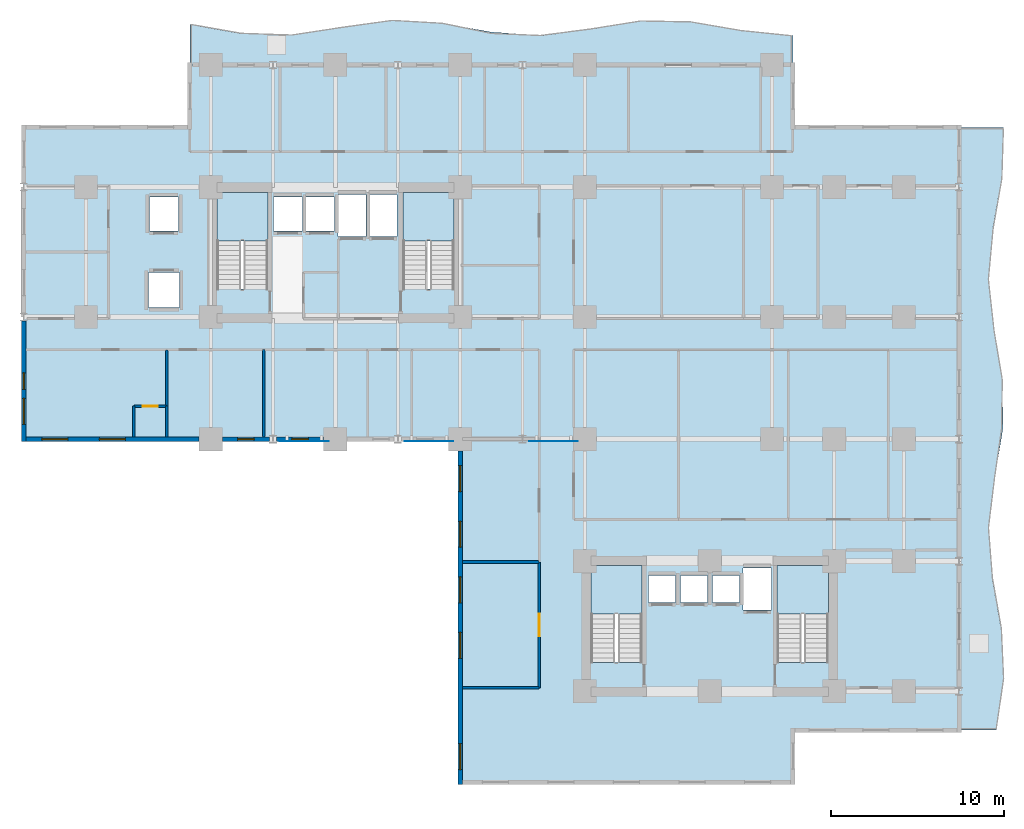
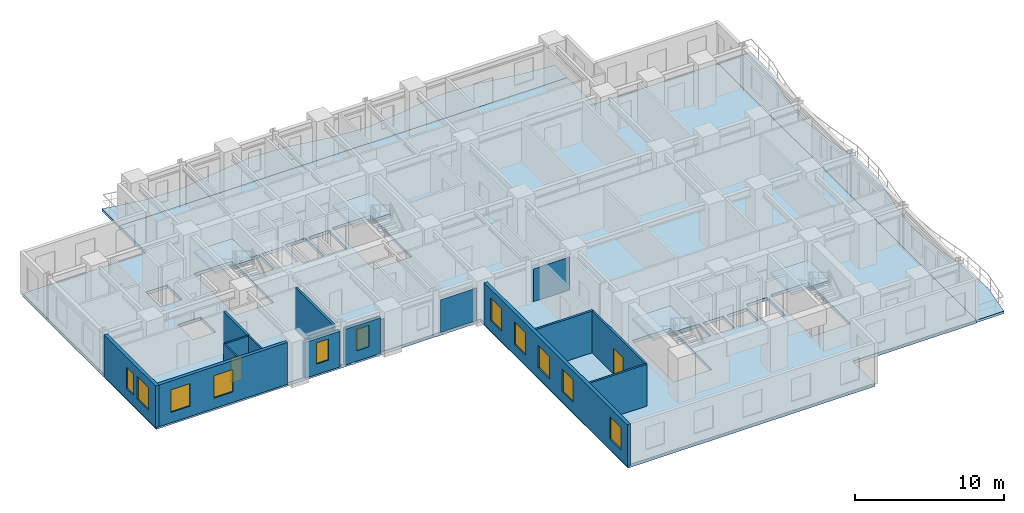
# One storey, part 2 of 11: 13 walls, 11 windows, 7 slabs, 3 plates, 2 doors, 13 openings, 4 elements without a shape of their own.
"""IFC4 building model written with IfcOpenShell, lengths in metres."""

from ifc_helpers import new_model, si_unit, direction, frame, frame_2d, origin, origin_2d, place, context, subcontext, project, spatial, polyline, rectangle, outline, extrude, source, transform, mapped, material, layer, layer_set, type_object, element, fill, aggregate, save


model = new_model("IFC4")

# Units and contexts
model_context = context("Model", 3, precision=1e-05, world=origin(), true_north=direction((0.0, 1.0)))
body_context = subcontext(model_context, "Body", "Model", "MODEL_VIEW")
ifc_project = project(units=[si_unit("LENGTHUNIT", "METRE"), si_unit("AREAUNIT", "SQUARE_METRE"), si_unit("VOLUMEUNIT", "CUBIC_METRE"), si_unit("PLANEANGLEUNIT", "RADIAN"), si_unit("MASSUNIT", "GRAM", prefix="KILO")], contexts=[model_context])

# Site, building, storey
site_placement = place(None, origin())
site = spatial("IfcSite", under=ifc_project, at=site_placement, CompositionType="ELEMENT")
building_placement = place(site_placement, origin())
building = spatial("IfcBuilding", under=site, at=building_placement, Name="Kaliganga Portal Commons", CompositionType="ELEMENT")
storey_placement = place(building_placement, frame((0.0, 0.0, 66.0)))
storey = spatial("IfcBuildingStorey", under=building, at=storey_placement, Name="L16", CompositionType="ELEMENT", Elevation=66.0)

# Slabs
ifc_material_1 = material(Name="Concrete C40/50", Category="concrete")
ifc_layer_1 = layer(ifc_material_1, 0.2099609375)
ifc_layer_set_1 = layer_set([ifc_layer_1], Name="Concrete C40/50")
slab_type_1 = type_object("IfcSlabType", Name="SLB-BALC-210", PredefinedType="FLOOR", material=ifc_layer_set_1)
slab_1_placement = place(storey_placement, frame((0.0, 0.0, -0.2099609375)))
element("IfcSlab", 1, at=slab_1_placement, inside=storey, type_object=slab_type_1, Name="Scalloped Tree-Planter Balcony Slab L16 balc_north", PredefinedType="FLOOR", context=body_context, shape_type="SweptSolid", body=[
    extrude(outline(polyline([(48.0, 43.199951171875), (48.0, 44.886474609375), (45.10009765625, 45.18408203125), (42.199951171875, 45.68896484375), (39.300048828125, 45.743408203125), (36.39990234375, 45.276611328125), (33.5, 44.896484375), (30.60009765625, 45.098388671875), (27.699951171875, 45.619384765625), (24.800048828125, 45.780517578125), (21.89990234375, 45.371826171875), (19.0, 44.926025390625), (16.10009765625, 45.023681640625), (13.199951171875, 45.53759765625), (13.199951171875, 43.199951171875), (48.0, 43.199951171875)])), origin(), (0.0, 0.0, 1.0), 0.2099609375),
])
slab_2_placement = place(storey_placement, frame((0.0, 0.0, -0.2099609375)))
element("IfcSlab", 2, at=slab_2_placement, inside=storey, type_object=slab_type_1, Name="Scalloped Tree-Planter Balcony Slab L16 balc_east", PredefinedType="FLOOR", context=body_context, shape_type="SweptSolid", body=[
    extrude(outline(polyline([(57.60009765625, 4.800048828125), (59.743408203125, 4.800048828125), (60.17138671875, 7.699951171875), (60.041748046875, 10.60009765625), (59.523193359375, 13.5), (59.29150390625, 16.39990234375), (59.648193359375, 19.300048828125), (60.12890625, 22.199951171875), (60.107177734375, 25.10009765625), (59.611083984375, 28.0), (59.287353515625, 30.89990234375), (59.5576171875, 33.800048828125), (60.069580078125, 36.699951171875), (60.156494140625, 39.60009765625), (57.60009765625, 39.60009765625), (57.60009765625, 4.800048828125)])), origin(), (0.0, 0.0, 1.0), 0.2099609375),
])

# Stair, slab
stair_type = type_object("IfcStairType", Name="ST-CORE-DOGLEG", PredefinedType="HALF_TURN_STAIR", material=ifc_material_1)
stair_1_placement = place(storey_placement, origin())
stair_1 = element("IfcStair", 3, at=stair_1_placement, inside=storey, type_object=stair_type, Name="L16 Protected Exit Stair ST-A1", PredefinedType="HALF_TURN_STAIR")
ifc_layer_2 = layer(ifc_material_1, 0.199951171875)
ifc_layer_set_2 = layer_set([ifc_layer_2], Name="Concrete C40/50")
slab_type_2 = type_object("IfcSlabType", Name="SLB-STAIR-LND", PredefinedType="LANDING", material=ifc_layer_set_2)
slab_3_placement = place(storey_placement, frame((0.0, 0.0, 1.64990234375)))
slab_3 = element("IfcSlab", 4, at=slab_3_placement, type_object=slab_type_2, Name="ST-A1 landing 1", PredefinedType="LANDING", context=body_context, shape_type="SweptSolid", body=[
    extrude(outline(polyline([(17.699951171875, 33.050048828125), (17.699951171875, 35.85009765625), (14.75, 35.85009765625), (14.75, 33.050048828125), (17.699951171875, 33.050048828125)])), origin(), (0.0, 0.0, 1.0), 0.2001953125),
])
aggregate(stair_1, [slab_3])

stair_2_placement = place(storey_placement, origin())
stair_2 = element("IfcStair", 5, at=stair_2_placement, inside=storey, type_object=stair_type, Name="L16 Protected Exit Stair ST-A2", PredefinedType="HALF_TURN_STAIR")
slab_4_placement = place(storey_placement, frame((0.0, 0.0, 1.64990234375)))
slab_4 = element("IfcSlab", 6, at=slab_4_placement, type_object=slab_type_2, Name="ST-A2 landing 1", PredefinedType="LANDING", context=body_context, shape_type="SweptSolid", body=[
    extrude(outline(polyline([(28.449951171875, 33.050048828125), (28.449951171875, 35.85009765625), (25.5, 35.85009765625), (25.5, 33.050048828125), (28.449951171875, 33.050048828125)])), origin(), (0.0, 0.0, 1.0), 0.2001953125),
])
aggregate(stair_2, [slab_4])

stair_3_placement = place(storey_placement, origin())
stair_3 = element("IfcStair", 7, at=stair_3_placement, inside=storey, type_object=stair_type, Name="L16 Protected Exit Stair ST-B1", PredefinedType="HALF_TURN_STAIR")
slab_5_placement = place(storey_placement, frame((0.0, 0.0, 1.64990234375)))
slab_5 = element("IfcSlab", 8, at=slab_5_placement, type_object=slab_type_2, Name="ST-B1 landing 1", PredefinedType="LANDING", context=body_context, shape_type="SweptSolid", body=[
    extrude(outline(polyline([(39.300048828125, 11.5), (39.300048828125, 14.300048828125), (36.35009765625, 14.300048828125), (36.35009765625, 11.5), (39.300048828125, 11.5)])), origin(), (0.0, 0.0, 1.0), 0.2001953125),
])
aggregate(stair_3, [slab_5])

stair_4_placement = place(storey_placement, origin())
stair_4 = element("IfcStair", 9, at=stair_4_placement, inside=storey, type_object=stair_type, Name="L16 Protected Exit Stair ST-B2", PredefinedType="HALF_TURN_STAIR")
slab_6_placement = place(storey_placement, frame((0.0, 0.0, 1.64990234375)))
slab_6 = element("IfcSlab", 10, at=slab_6_placement, type_object=slab_type_2, Name="ST-B2 landing 1", PredefinedType="LANDING", context=body_context, shape_type="SweptSolid", body=[
    extrude(outline(polyline([(50.050048828125, 11.5), (50.050048828125, 14.300048828125), (47.10009765625, 14.300048828125), (47.10009765625, 11.5), (50.050048828125, 11.5)])), origin(), (0.0, 0.0, 1.0), 0.2001953125),
])
aggregate(stair_4, [slab_6])

# Slab
ifc_layer_3 = layer(ifc_material_1, 0.25)
ifc_layer_set_3 = layer_set([ifc_layer_3], Name="Concrete C40/50")
slab_type_3 = type_object("IfcSlabType", Name="SLB-TWR-250", PredefinedType="FLOOR", material=ifc_layer_set_3)
slab_7_placement = place(storey_placement, frame((0.0, 0.0, -0.25)))
element("IfcSlab", 11, at=slab_7_placement, inside=storey, type_object=slab_type_3, Name="Structural Floor Slab L16", PredefinedType="FLOOR", context=body_context, shape_type="SweptSolid", body=[
    extrude(outline(polyline([(28.800048828125, 1.800048828125), (48.0, 1.800048828125), (48.0, 4.800048828125), (57.60009765625, 4.800048828125), (57.60009765625, 39.60009765625), (48.0, 39.60009765625), (48.0, 43.199951171875), (13.199951171875, 43.199951171875), (13.199951171875, 39.60009765625), (3.60009765625, 39.60009765625), (3.60009765625, 21.60009765625), (28.800048828125, 21.60009765625), (28.800048828125, 1.800048828125)]), holes=[polyline([(14.75, 30.25390625), (14.75, 35.85009765625), (17.699951171875, 35.85009765625), (17.699951171875, 30.25390625), (14.75, 30.25390625)]), polyline([(25.5, 30.25390625), (25.5, 35.85009765625), (28.449951171875, 35.85009765625), (28.449951171875, 30.25390625), (25.5, 30.25390625)]), polyline([(36.35009765625, 8.7041015625), (36.35009765625, 14.300048828125), (39.300048828125, 14.300048828125), (39.300048828125, 8.7041015625), (36.35009765625, 8.7041015625)]), polyline([(47.10009765625, 8.7041015625), (47.10009765625, 14.300048828125), (50.050048828125, 14.300048828125), (50.050048828125, 8.7041015625), (47.10009765625, 8.7041015625)]), polyline([(18.014892578125, 33.614990234375), (18.014892578125, 35.5849609375), (19.68505859375, 35.5849609375), (19.68505859375, 33.614990234375), (18.014892578125, 33.614990234375)]), polyline([(19.864990234375, 33.614990234375), (19.864990234375, 35.5849609375), (21.534912109375, 35.5849609375), (21.534912109375, 33.614990234375), (19.864990234375, 33.614990234375)]), polyline([(10.81494140625, 29.18994140625), (10.81494140625, 31.2099609375), (12.5849609375, 31.2099609375), (12.5849609375, 29.18994140625), (10.81494140625, 29.18994140625)]), polyline([(10.864990234375, 33.614990234375), (10.864990234375, 35.5849609375), (12.534912109375, 35.5849609375), (12.534912109375, 33.614990234375), (10.864990234375, 33.614990234375)]), polyline([(21.739990234375, 33.2900390625), (21.739990234375, 35.7099609375), (23.360107421875, 35.7099609375), (23.360107421875, 33.2900390625), (21.739990234375, 33.2900390625)]), polyline([(23.5400390625, 33.2900390625), (23.5400390625, 35.7099609375), (25.159912109375, 35.7099609375), (25.159912109375, 33.2900390625), (23.5400390625, 33.2900390625)]), polyline([(39.6650390625, 12.1650390625), (39.6650390625, 13.735107421875), (41.235107421875, 13.735107421875), (41.235107421875, 12.1650390625), (39.6650390625, 12.1650390625)]), polyline([(41.514892578125, 12.1650390625), (41.514892578125, 13.735107421875), (43.0849609375, 13.735107421875), (43.0849609375, 12.1650390625), (41.514892578125, 12.1650390625)]), polyline([(43.364990234375, 12.1650390625), (43.364990234375, 13.735107421875), (44.93505859375, 13.735107421875), (44.93505859375, 12.1650390625), (43.364990234375, 12.1650390625)]), polyline([(45.139892578125, 11.739990234375), (45.139892578125, 14.159912109375), (46.760009765625, 14.159912109375), (46.760009765625, 11.739990234375), (45.139892578125, 11.739990234375)])]), origin(), (0.0, 0.0, 1.0), 0.25),
])

# Plates
ifc_material_2 = material(Name="Perforated Bronze-Anodized Aluminium Solar Screen", Category="aluminium")
ifc_layer_4 = layer(ifc_material_2, 0.01806640625)
ifc_layer_set_4 = layer_set([ifc_layer_4], Name="Perforated Bronze-Anodized Aluminium Solar Screen")
plate_type = type_object("IfcPlateType", Name="PLT-SCR-18", PredefinedType="USERDEFINED", material=ifc_layer_set_4)
shared_shape = source(origin(), body_context, "Body", "SweptSolid", [
    extrude(rectangle(XDim=2.800048828125, YDim=0.01806640625, at=origin_2d()), origin(), (0.0, 0.0, 1.0), 2.68994140625),
])
for number, where, z_axis, x_axis, name in (
    (12, (19.800048828125, 21.47998046875, 0.080078125), (0.0, 0.0, 1.0), (1.0, 0.0, 0.0), "Perforated Solar Screen L16-S1"),
    (13, (27.0, 21.47998046875, 0.080078125), (0.0, 0.0, 1.0), (1.0, 0.0, 0.0), "Perforated Solar Screen L16-S2"),
    (14, (34.199951171875, 21.47998046875, 0.080078125), (0.0, 0.0, 1.0), (1.0, 0.0, 0.0), "Perforated Solar Screen L16-S3"),
):
    element("IfcPlate", number, at=place(storey_placement, frame(where, z_axis=z_axis, x_axis=x_axis)), inside=storey, type_object=plate_type, Name=name, ObjectType="SOLAR SCREEN", PredefinedType="USERDEFINED", context=body_context, shape_type="MappedRepresentation", body=[
        mapped(shared_shape, transform((0.0, 0.0, 0.0), x_axis=(1.0, 0.0, 0.0), y_axis=(0.0, 1.0, 0.0), z_axis=(0.0, 0.0, 1.0), scale=1.0)),
    ])

# Wall, openings, windows
ifc_material_3 = material(Name="Insulated Aluminium-Clad Spandrel Assembly", Category="aluminium")
ifc_layer_5 = layer(ifc_material_3, 0.260009765625)
ifc_layer_set_5 = layer_set([ifc_layer_5], Name="Insulated Aluminium-Clad Spandrel Assembly")
wall_type_1 = type_object("IfcWallType", Name="WL-EXT-SPAND-260", PredefinedType="STANDARD", material=ifc_layer_set_5)
wall_1_placement = place(storey_placement, frame((3.60009765625, 21.469970703125, 0.0), z_axis=(0.0, 0.0, 1.0), x_axis=(0.0, 1.0, 0.0)))
wall_1 = element("IfcWall", 15, at=wall_1_placement, inside=storey, type_object=wall_type_1, Name="Exterior Envelope Wall L16 P1-E09-S3", PredefinedType="STANDARD", context=body_context, shape_type="SweptSolid", body=[
    extrude(rectangle(XDim=6.9560546875, YDim=0.260009765625, at=frame_2d((3.47802734375, 0.0))), origin(), (0.0, 0.0, 1.0), 3.429931640625),
])
opening_1_placement = place(wall_1_placement, frame((0.989013671875, 0.0, 0.85009765625)))
opening_1 = element("IfcOpeningElement", 16, at=opening_1_placement, cuts=wall_1, Name="Opening W-02", PredefinedType="OPENING", context=body_context, shape_type="SweptSolid", body=[
    extrude(rectangle(XDim=1.5, YDim=1.85009765625, at=frame_2d((0.75, 0.925048828125))), frame((0.0, 0.14013671875, 0.0), z_axis=(0.0, -1.0, 0.0), x_axis=(1.0, 0.0, 0.0)), (0.0, 0.0, 1.0), 0.280029296875),
])
opening_2_placement = place(wall_1_placement, frame((3.0029296875, 0.0, 0.85009765625)))
opening_2 = element("IfcOpeningElement", 17, at=opening_2_placement, cuts=wall_1, Name="Opening W-04", PredefinedType="OPENING", context=body_context, shape_type="SweptSolid", body=[
    extrude(rectangle(XDim=0.949951171875, YDim=1.75, at=frame_2d((0.47509765625, 0.875))), frame((0.0, 0.14013671875, 0.0), z_axis=(0.0, -1.0, 0.0), x_axis=(1.0, 0.0, 0.0)), (0.0, 0.0, 1.0), 0.280029296875),
])
ifc_material_4 = material(Name="Thermally Broken Aluminium and Low-E Double Glazing", Category="aluminium")
window_type_1 = type_object("IfcWindowType", Name="WIN-NARROW-950", PartitioningType="SINGLE_PANEL", PredefinedType="WINDOW", material=ifc_material_4)
window_1_placement = place(opening_2_placement, origin())
window_1 = element("IfcWindow", 18, at=window_1_placement, inside=storey, type_object=window_type_1, Name="Facade Window L16-P1E09S3-N0", OverallHeight=1.75, OverallWidth=0.949951171875, PartitioningType="SINGLE_PANEL", PredefinedType="WINDOW", context=body_context, shape_type="SweptSolid", body=[
    extrude(rectangle(XDim=0.949951171875, YDim=1.75, at=frame_2d((0.47509765625, 0.875))), frame((0.0, 0.030029296875, 0.0), z_axis=(0.0, -1.0, 0.0), x_axis=(1.0, 0.0, 0.0)), (0.0, 0.0, 1.0), 0.06005859375),
])
fill(opening_2, window_1)
window_type_2 = type_object("IfcWindowType", Name="WIN-STD-1500", PartitioningType="DOUBLE_PANEL_VERTICAL", PredefinedType="WINDOW", material=ifc_material_4)
window_2_placement = place(opening_1_placement, origin())
window_2 = element("IfcWindow", 19, at=window_2_placement, inside=storey, type_object=window_type_2, Name="Facade Window L16-P1E09S3-00", OverallHeight=1.85009765625, OverallWidth=1.5, PartitioningType="SINGLE_PANEL", PredefinedType="WINDOW", context=body_context, shape_type="SweptSolid", body=[
    extrude(rectangle(XDim=1.5, YDim=1.85009765625, at=frame_2d((0.75, 0.925048828125))), frame((0.0, 0.030029296875, 0.0), z_axis=(0.0, -1.0, 0.0), x_axis=(1.0, 0.0, 0.0)), (0.0, 0.0, 1.0), 0.06005859375),
])
fill(opening_1, window_2)

wall_2_placement = place(storey_placement, frame((13.72412109375, 21.60009765625, 0.0), z_axis=(0.0, 0.0, 1.0), x_axis=(-1.0, 0.0, 0.0)))
wall_2 = element("IfcWall", 20, at=wall_2_placement, inside=storey, type_object=wall_type_1, Name="Exterior Envelope Wall L16 P1-E10-S1", PredefinedType="STANDARD", context=body_context, shape_type="SweptSolid", body=[
    extrude(rectangle(XDim=9.989013671875, YDim=0.260009765625, at=frame_2d((4.99462890625, 0.0))), origin(), (0.0, 0.0, 1.0), 3.429931640625),
])
opening_3_placement = place(wall_2_placement, frame((4.244384765625, 0.0, 0.85009765625)))
opening_3 = element("IfcOpeningElement", 21, at=opening_3_placement, cuts=wall_2, Name="Opening W-02", PredefinedType="OPENING", context=body_context, shape_type="SweptSolid", body=[
    extrude(rectangle(XDim=1.5, YDim=1.85009765625, at=frame_2d((0.75, 0.925048828125))), frame((0.0, 0.14013671875, 0.0), z_axis=(0.0, -1.0, 0.0), x_axis=(1.0, 0.0, 0.0)), (0.0, 0.0, 1.0), 0.280029296875),
])
opening_4_placement = place(wall_2_placement, frame((7.57421875, 0.0, 0.85009765625)))
opening_4 = element("IfcOpeningElement", 22, at=opening_4_placement, cuts=wall_2, Name="Opening W-02", PredefinedType="OPENING", context=body_context, shape_type="SweptSolid", body=[
    extrude(rectangle(XDim=1.5, YDim=1.85009765625, at=frame_2d((0.75, 0.925048828125))), frame((0.0, 0.14013671875, 0.0), z_axis=(0.0, -1.0, 0.0), x_axis=(1.0, 0.0, 0.0)), (0.0, 0.0, 1.0), 0.280029296875),
])
window_3_placement = place(opening_3_placement, origin())
window_3 = element("IfcWindow", 23, at=window_3_placement, inside=storey, type_object=window_type_2, Name="Facade Window L16-P1E10S1-01", OverallHeight=1.85009765625, OverallWidth=1.5, PartitioningType="SINGLE_PANEL", PredefinedType="WINDOW", context=body_context, shape_type="SweptSolid", body=[
    extrude(rectangle(XDim=1.5, YDim=1.85009765625, at=frame_2d((0.75, 0.925048828125))), frame((0.0, 0.030029296875, 0.0), z_axis=(0.0, -1.0, 0.0), x_axis=(1.0, 0.0, 0.0)), (0.0, 0.0, 1.0), 0.06005859375),
])
fill(opening_3, window_3)
window_4_placement = place(opening_4_placement, origin())
window_4 = element("IfcWindow", 24, at=window_4_placement, inside=storey, type_object=window_type_2, Name="Facade Window L16-P1E10S1-02", OverallHeight=1.85009765625, OverallWidth=1.5, PartitioningType="SINGLE_PANEL", PredefinedType="WINDOW", context=body_context, shape_type="SweptSolid", body=[
    extrude(rectangle(XDim=1.5, YDim=1.85009765625, at=frame_2d((0.75, 0.925048828125))), frame((0.0, 0.030029296875, 0.0), z_axis=(0.0, -1.0, 0.0), x_axis=(1.0, 0.0, 0.0)), (0.0, 0.0, 1.0), 0.06005859375),
])
fill(opening_4, window_4)

# Wall, opening, window
wall_3_placement = place(storey_placement, frame((17.791015625, 21.60009765625, 0.0), z_axis=(0.0, 0.0, 1.0), x_axis=(-1.0, 0.0, 0.0)))
wall_3 = element("IfcWall", 25, at=wall_3_placement, inside=storey, type_object=wall_type_1, Name="Exterior Envelope Wall L16 P1-E10-S2", PredefinedType="STANDARD", context=body_context, shape_type="SweptSolid", body=[
    extrude(rectangle(XDim=2.715087890625, YDim=0.260009765625, at=frame_2d((1.357421875, 0.0))), origin(), (0.0, 0.0, 1.0), 2.929931640625),
])
opening_5_placement = place(wall_3_placement, frame((0.882568359375, 0.0, 0.85009765625)))
opening_5 = element("IfcOpeningElement", 26, at=opening_5_placement, cuts=wall_3, Name="Opening W-04", PredefinedType="OPENING", context=body_context, shape_type="SweptSolid", body=[
    extrude(rectangle(XDim=0.949951171875, YDim=1.75, at=frame_2d((0.47509765625, 0.875))), frame((0.0, 0.14013671875, 0.0), z_axis=(0.0, -1.0, 0.0), x_axis=(1.0, 0.0, 0.0)), (0.0, 0.0, 1.0), 0.280029296875),
])
window_5_placement = place(opening_5_placement, origin())
window_5 = element("IfcWindow", 27, at=window_5_placement, inside=storey, type_object=window_type_1, Name="Facade Window L16-P1E10S2-00", OverallHeight=1.75, OverallWidth=0.949951171875, PartitioningType="SINGLE_PANEL", PredefinedType="WINDOW", context=body_context, shape_type="SweptSolid", body=[
    extrude(rectangle(XDim=0.949951171875, YDim=1.75, at=frame_2d((0.47509765625, 0.875))), frame((0.0, 0.030029296875, 0.0), z_axis=(0.0, -1.0, 0.0), x_axis=(1.0, 0.0, 0.0)), (0.0, 0.0, 1.0), 0.06005859375),
])
fill(opening_5, window_5)

wall_4_placement = place(storey_placement, frame((20.924072265625, 21.60009765625, 0.0), z_axis=(0.0, 0.0, 1.0), x_axis=(-1.0, 0.0, 0.0)))
wall_4 = element("IfcWall", 28, at=wall_4_placement, inside=storey, type_object=wall_type_1, Name="Exterior Envelope Wall L16 P1-E10-S3", PredefinedType="STANDARD", context=body_context, shape_type="SweptSolid", body=[
    extrude(rectangle(XDim=2.715087890625, YDim=0.260009765625, at=frame_2d((1.357421875, 0.0))), origin(), (0.0, 0.0, 1.0), 2.929931640625),
])
opening_6_placement = place(wall_4_placement, frame((0.882568359375, 0.0, 0.85009765625)))
opening_6 = element("IfcOpeningElement", 29, at=opening_6_placement, cuts=wall_4, Name="Opening W-04", PredefinedType="OPENING", context=body_context, shape_type="SweptSolid", body=[
    extrude(rectangle(XDim=0.949951171875, YDim=1.75, at=frame_2d((0.47509765625, 0.875))), frame((0.0, 0.14013671875, 0.0), z_axis=(0.0, -1.0, 0.0), x_axis=(1.0, 0.0, 0.0)), (0.0, 0.0, 1.0), 0.280029296875),
])
window_6_placement = place(opening_6_placement, origin())
window_6 = element("IfcWindow", 30, at=window_6_placement, inside=storey, type_object=window_type_1, Name="Facade Window L16-P1E10S3-00", OverallHeight=1.75, OverallWidth=0.949951171875, PartitioningType="SINGLE_PANEL", PredefinedType="WINDOW", context=body_context, shape_type="SweptSolid", body=[
    extrude(rectangle(XDim=0.949951171875, YDim=1.75, at=frame_2d((0.47509765625, 0.875))), frame((0.0, 0.030029296875, 0.0), z_axis=(0.0, -1.0, 0.0), x_axis=(1.0, 0.0, 0.0)), (0.0, 0.0, 1.0), 0.06005859375),
])
fill(opening_6, window_6)

# Wall, openings, windows
wall_5_placement = place(storey_placement, frame((28.800048828125, 1.669921875, 0.0), z_axis=(0.0, 0.0, 1.0), x_axis=(0.0, 1.0, 0.0)))
wall_5 = element("IfcWall", 31, at=wall_5_placement, inside=storey, type_object=wall_type_1, Name="Exterior Envelope Wall L16 P1-E11-S1", PredefinedType="STANDARD", context=body_context, shape_type="SweptSolid", body=[
    extrude(rectangle(XDim=19.254150390625, YDim=0.260009765625, at=frame_2d((9.626953125, 0.0))), origin(), (0.0, 0.0, 1.0), 3.429931640625),
])
opening_7_placement = place(wall_5_placement, frame((0.8544921875, 0.0, 0.85009765625)))
opening_7 = element("IfcOpeningElement", 32, at=opening_7_placement, cuts=wall_5, Name="Opening W-02", PredefinedType="OPENING", context=body_context, shape_type="SweptSolid", body=[
    extrude(rectangle(XDim=1.5, YDim=1.85009765625, at=frame_2d((0.75, 0.925048828125))), frame((0.0, 0.14013671875, 0.0), z_axis=(0.0, -1.0, 0.0), x_axis=(1.0, 0.0, 0.0)), (0.0, 0.0, 1.0), 0.280029296875),
])
opening_8_placement = place(wall_5_placement, frame((7.2724609375, 0.0, 0.85009765625)))
opening_8 = element("IfcOpeningElement", 33, at=opening_8_placement, cuts=wall_5, Name="Opening W-02", PredefinedType="OPENING", context=body_context, shape_type="SweptSolid", body=[
    extrude(rectangle(XDim=1.5, YDim=1.85009765625, at=frame_2d((0.75, 0.925048828125))), frame((0.0, 0.14013671875, 0.0), z_axis=(0.0, -1.0, 0.0), x_axis=(1.0, 0.0, 0.0)), (0.0, 0.0, 1.0), 0.280029296875),
])
opening_9_placement = place(wall_5_placement, frame((10.4814453125, 0.0, 0.85009765625)))
opening_9 = element("IfcOpeningElement", 34, at=opening_9_placement, cuts=wall_5, Name="Opening W-02", PredefinedType="OPENING", context=body_context, shape_type="SweptSolid", body=[
    extrude(rectangle(XDim=1.5, YDim=1.85009765625, at=frame_2d((0.75, 0.925048828125))), frame((0.0, 0.14013671875, 0.0), z_axis=(0.0, -1.0, 0.0), x_axis=(1.0, 0.0, 0.0)), (0.0, 0.0, 1.0), 0.280029296875),
])
opening_10_placement = place(wall_5_placement, frame((13.6904296875, 0.0, 0.85009765625)))
opening_10 = element("IfcOpeningElement", 35, at=opening_10_placement, cuts=wall_5, Name="Opening W-02", PredefinedType="OPENING", context=body_context, shape_type="SweptSolid", body=[
    extrude(rectangle(XDim=1.5, YDim=1.85009765625, at=frame_2d((0.75, 0.925048828125))), frame((0.0, 0.14013671875, 0.0), z_axis=(0.0, -1.0, 0.0), x_axis=(1.0, 0.0, 0.0)), (0.0, 0.0, 1.0), 0.280029296875),
])
opening_11_placement = place(wall_5_placement, frame((16.8994140625, 0.0, 0.85009765625)))
opening_11 = element("IfcOpeningElement", 36, at=opening_11_placement, cuts=wall_5, Name="Opening W-02", PredefinedType="OPENING", context=body_context, shape_type="SweptSolid", body=[
    extrude(rectangle(XDim=1.5, YDim=1.85009765625, at=frame_2d((0.75, 0.925048828125))), frame((0.0, 0.14013671875, 0.0), z_axis=(0.0, -1.0, 0.0), x_axis=(1.0, 0.0, 0.0)), (0.0, 0.0, 1.0), 0.280029296875),
])
window_7_placement = place(opening_7_placement, origin())
window_7 = element("IfcWindow", 37, at=window_7_placement, inside=storey, type_object=window_type_2, Name="Facade Window L16-P1E11S1-00", OverallHeight=1.85009765625, OverallWidth=1.5, PartitioningType="SINGLE_PANEL", PredefinedType="WINDOW", context=body_context, shape_type="SweptSolid", body=[
    extrude(rectangle(XDim=1.5, YDim=1.85009765625, at=frame_2d((0.75, 0.925048828125))), frame((0.0, 0.030029296875, 0.0), z_axis=(0.0, -1.0, 0.0), x_axis=(1.0, 0.0, 0.0)), (0.0, 0.0, 1.0), 0.06005859375),
])
fill(opening_7, window_7)
window_8_placement = place(opening_8_placement, origin())
window_8 = element("IfcWindow", 38, at=window_8_placement, inside=storey, type_object=window_type_2, Name="Facade Window L16-P1E11S1-02", OverallHeight=1.85009765625, OverallWidth=1.5, PartitioningType="SINGLE_PANEL", PredefinedType="WINDOW", context=body_context, shape_type="SweptSolid", body=[
    extrude(rectangle(XDim=1.5, YDim=1.85009765625, at=frame_2d((0.75, 0.925048828125))), frame((0.0, 0.030029296875, 0.0), z_axis=(0.0, -1.0, 0.0), x_axis=(1.0, 0.0, 0.0)), (0.0, 0.0, 1.0), 0.06005859375),
])
fill(opening_8, window_8)
window_9_placement = place(opening_9_placement, origin())
window_9 = element("IfcWindow", 39, at=window_9_placement, inside=storey, type_object=window_type_2, Name="Facade Window L16-P1E11S1-03", OverallHeight=1.85009765625, OverallWidth=1.5, PartitioningType="SINGLE_PANEL", PredefinedType="WINDOW", context=body_context, shape_type="SweptSolid", body=[
    extrude(rectangle(XDim=1.5, YDim=1.85009765625, at=frame_2d((0.75, 0.925048828125))), frame((0.0, 0.030029296875, 0.0), z_axis=(0.0, -1.0, 0.0), x_axis=(1.0, 0.0, 0.0)), (0.0, 0.0, 1.0), 0.06005859375),
])
fill(opening_9, window_9)
window_10_placement = place(opening_10_placement, origin())
window_10 = element("IfcWindow", 40, at=window_10_placement, inside=storey, type_object=window_type_2, Name="Facade Window L16-P1E11S1-04", OverallHeight=1.85009765625, OverallWidth=1.5, PartitioningType="SINGLE_PANEL", PredefinedType="WINDOW", context=body_context, shape_type="SweptSolid", body=[
    extrude(rectangle(XDim=1.5, YDim=1.85009765625, at=frame_2d((0.75, 0.925048828125))), frame((0.0, 0.030029296875, 0.0), z_axis=(0.0, -1.0, 0.0), x_axis=(1.0, 0.0, 0.0)), (0.0, 0.0, 1.0), 0.06005859375),
])
fill(opening_10, window_10)
window_11_placement = place(opening_11_placement, origin())
window_11 = element("IfcWindow", 41, at=window_11_placement, inside=storey, type_object=window_type_2, Name="Facade Window L16-P1E11S1-05", OverallHeight=1.85009765625, OverallWidth=1.5, PartitioningType="SINGLE_PANEL", PredefinedType="WINDOW", context=body_context, shape_type="SweptSolid", body=[
    extrude(rectangle(XDim=1.5, YDim=1.85009765625, at=frame_2d((0.75, 0.925048828125))), frame((0.0, 0.030029296875, 0.0), z_axis=(0.0, -1.0, 0.0), x_axis=(1.0, 0.0, 0.0)), (0.0, 0.0, 1.0), 0.06005859375),
])
fill(opening_11, window_11)

# Wall, opening, door
ifc_material_5 = material(Name="Fire-Rated Gypsum Board on Steel Stud", Category="steel")
ifc_layer_6 = layer(ifc_material_5, 0.14990234375)
ifc_layer_set_6 = layer_set([ifc_layer_6], Name="Fire-Rated Gypsum Board on Steel Stud")
wall_type_2 = type_object("IfcWallType", Name="WL-PART-CORR-150", PredefinedType="PARTITIONING", material=ifc_layer_set_6)
wall_6_placement = place(storey_placement, frame((33.360107421875, 7.239990234375, 0.0), z_axis=(0.0, 0.0, 1.0), x_axis=(0.0, 1.0, 0.0)))
wall_6 = element("IfcWall", 42, at=wall_6_placement, inside=storey, type_object=wall_type_2, Name="Interior Partition L16-013", PredefinedType="PARTITIONING", context=body_context, shape_type="SweptSolid", body=[
    extrude(rectangle(XDim=7.260009765625, YDim=0.14990234375, at=frame_2d((3.6298828125, 0.0))), origin(), (0.0, 0.0, 1.0), 3.429931640625),
])
opening_12_placement = place(wall_6_placement, frame((2.97998046875, 0.0, 0.0)))
opening_12 = element("IfcOpeningElement", 43, at=opening_12_placement, cuts=wall_6, Name="Opening RD-03", PredefinedType="OPENING", context=body_context, shape_type="SweptSolid", body=[
    extrude(rectangle(XDim=1.300048828125, YDim=2.1201171875, at=frame_2d((0.64990234375, 1.06005859375))), frame((0.0, 0.0849609375, 0.0), z_axis=(0.0, -1.0, 0.0), x_axis=(1.0, 0.0, 0.0)), (0.0, 0.0, 1.0), 0.169921875),
])
ifc_material_6 = material(Name="Glazed Timber Seminar Vision Door", Category="wood")
door_type_1 = type_object("IfcDoorType", Name="DR-STUDY-1300", OperationType="DOUBLE_DOOR_SINGLE_SWING", PredefinedType="DOOR", material=ifc_material_6)
door_1_placement = place(opening_12_placement, origin())
door_1 = element("IfcDoor", 44, at=door_1_placement, inside=storey, type_object=door_type_1, Name="Interior Door L16-KW01", OperationType="DOUBLE_DOOR_SINGLE_SWING", OverallHeight=2.1201171875, OverallWidth=1.300048828125, PredefinedType="DOOR", context=body_context, shape_type="SweptSolid", body=[
    extrude(rectangle(XDim=1.300048828125, YDim=2.1201171875, at=frame_2d((0.64990234375, 1.06005859375))), frame((0.0, 0.02490234375, 0.0), z_axis=(0.0, -1.0, 0.0), x_axis=(1.0, 0.0, 0.0)), (0.0, 0.0, 1.0), 0.050048828125),
])
fill(opening_12, door_1)

# Walls
wall_7_placement = place(storey_placement, frame((28.931884765625, 7.239990234375, 0.0), z_axis=(0.0, 0.0, 1.0), x_axis=(1.0, 0.0, 0.0)))
element("IfcWall", 45, at=wall_7_placement, inside=storey, type_object=wall_type_2, Name="Interior Partition L16-033", PredefinedType="PARTITIONING", context=body_context, shape_type="SweptSolid", body=[
    extrude(rectangle(XDim=4.42822265625, YDim=0.14990234375, at=frame_2d((2.214111328125, 0.0))), origin(), (0.0, 0.0, 1.0), 3.429931640625),
])
ifc_material_7 = material(Name="Twin-Stud Acoustic Gypsum Partition", Category="gypsum")
ifc_layer_7 = layer(ifc_material_7, 0.1650390625)
ifc_layer_set_7 = layer_set([ifc_layer_7], Name="Twin-Stud Acoustic Gypsum Partition")
wall_type_3 = type_object("IfcWallType", Name="WL-PART-UNIT-165", PredefinedType="PARTITIONING", material=ifc_layer_set_7)
wall_8_placement = place(storey_placement, frame((17.4599609375, 21.73193359375, 0.0), z_axis=(0.0, 0.0, 1.0), x_axis=(0.0, 1.0, 0.0)))
element("IfcWall", 46, at=wall_8_placement, inside=storey, type_object=wall_type_3, Name="Interior Partition L16-059", PredefinedType="PARTITIONING", context=body_context, shape_type="SweptSolid", body=[
    extrude(rectangle(XDim=5.028076171875, YDim=0.1650390625, at=frame_2d((2.51416015625, 0.0))), origin(), (0.0, 0.0, 1.0), 3.429931640625),
])
wall_9_placement = place(storey_placement, frame((28.931884765625, 14.5, 0.0), z_axis=(0.0, 0.0, 1.0), x_axis=(1.0, 0.0, 0.0)))
element("IfcWall", 47, at=wall_9_placement, inside=storey, type_object=wall_type_3, Name="Interior Partition L16-074", PredefinedType="PARTITIONING", context=body_context, shape_type="SweptSolid", body=[
    extrude(rectangle(XDim=4.42822265625, YDim=0.1650390625, at=frame_2d((2.214111328125, 0.0))), origin(), (0.0, 0.0, 1.0), 3.429931640625),
])
wall_10_placement = place(storey_placement, frame((11.860107421875, 23.5, 0.0), z_axis=(0.0, 0.0, 1.0), x_axis=(0.0, 1.0, 0.0)))
element("IfcWall", 48, at=wall_10_placement, inside=storey, type_object=wall_type_3, Name="Interior Partition L16-081", PredefinedType="PARTITIONING", context=body_context, shape_type="SweptSolid", body=[
    extrude(rectangle(XDim=3.260009765625, YDim=0.1650390625, at=frame_2d((1.6298828125, 0.0))), origin(), (0.0, 0.0, 1.0), 3.429931640625),
])

# Wall, opening, door
ifc_material_8 = material(Name="Cement-Board Wet-Room Partition", Category="gypsum")
ifc_layer_8 = layer(ifc_material_8, 0.135009765625)
ifc_layer_set_8 = layer_set([ifc_layer_8], Name="Cement-Board Wet-Room Partition")
wall_type_4 = type_object("IfcWallType", Name="WL-PART-WET-135", PredefinedType="PARTITIONING", material=ifc_layer_set_8)
wall_11_placement = place(storey_placement, frame((9.9599609375, 23.5, 0.0), z_axis=(0.0, 0.0, 1.0), x_axis=(1.0, 0.0, 0.0)))
wall_11 = element("IfcWall", 49, at=wall_11_placement, inside=storey, type_object=wall_type_4, Name="Interior Partition L16-001", PredefinedType="PARTITIONING", context=body_context, shape_type="SweptSolid", body=[
    extrude(rectangle(XDim=1.900146484375, YDim=0.135009765625, at=frame_2d((0.9501953125, 0.0))), origin(), (0.0, 0.0, 1.0), 3.429931640625),
])
opening_13_placement = place(wall_11_placement, frame((0.52490234375, 0.0, 0.0)))
opening_13 = element("IfcOpeningElement", 50, at=opening_13_placement, cuts=wall_11, Name="Opening WD-01", PredefinedType="OPENING", context=body_context, shape_type="SweptSolid", body=[
    extrude(rectangle(XDim=0.85009765625, YDim=2.0400390625, at=frame_2d((0.425048828125, 1.02001953125))), frame((0.0, 0.07763671875, 0.0), z_axis=(0.0, -1.0, 0.0), x_axis=(1.0, 0.0, 0.0)), (0.0, 0.0, 1.0), 0.155029296875),
])
ifc_material_9 = material(Name="Moisture-Resistant Laminate Timber Door", Category="wood")
door_type_2 = type_object("IfcDoorType", Name="DR-WET-850", OperationType="NOTDEFINED", PredefinedType="DOOR", material=ifc_material_9)
door_2_placement = place(opening_13_placement, origin())
door_2 = element("IfcDoor", 51, at=door_2_placement, inside=storey, type_object=door_type_2, Name="Interior Door L16-AS01E", OperationType="SINGLE_SWING_RIGHT", OverallHeight=2.0400390625, OverallWidth=0.85009765625, PredefinedType="DOOR", context=body_context, shape_type="SweptSolid", body=[
    extrude(rectangle(XDim=0.85009765625, YDim=2.0400390625, at=frame_2d((0.425048828125, 1.02001953125))), frame((0.0, 0.02490234375, 0.0), z_axis=(0.0, -1.0, 0.0), x_axis=(1.0, 0.0, 0.0)), (0.0, 0.0, 1.0), 0.050048828125),
])
fill(opening_13, door_2)

# Walls
for number, where, z_axis, x_axis, name in (
    (52, (9.9599609375, 21.73193359375, 0.0), (0.0, 0.0, 1.0), (0.0, 1.0, 0.0), "Interior Partition L16-002"),
    (53, (11.860107421875, 21.73193359375, 0.0), (0.0, 0.0, 1.0), (0.0, 1.0, 0.0), "Interior Partition L16-003"),
):
    element("IfcWall", number, at=place(storey_placement, frame(where, z_axis=z_axis, x_axis=x_axis)), inside=storey, type_object=wall_type_4, Name=name, PredefinedType="PARTITIONING", context=body_context, shape_type="SweptSolid", body=[
        extrude(rectangle(XDim=1.76806640625, YDim=0.135009765625, at=frame_2d((0.884033203125, 0.0))), origin(), (0.0, 0.0, 1.0), 3.429931640625),
    ])

save(model, "model.ifc")
